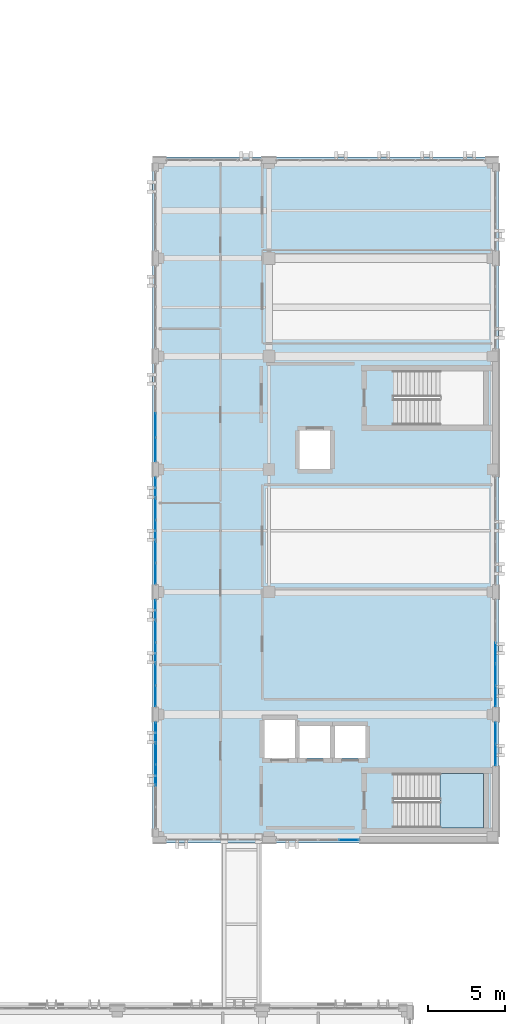
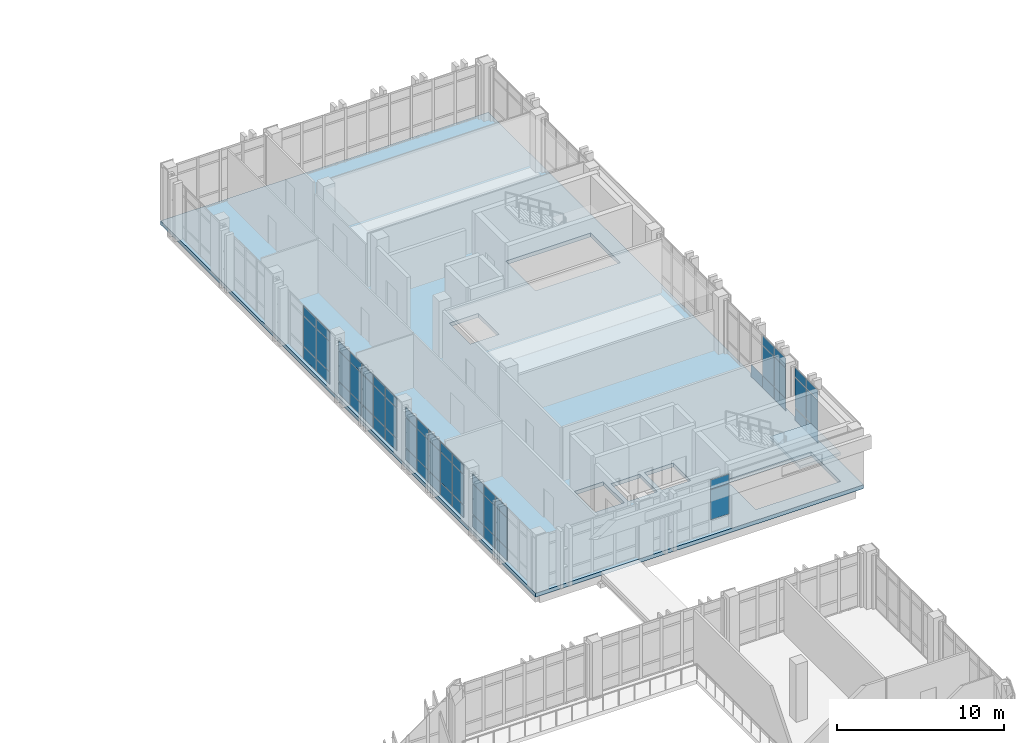
# One storey, part 119 of 158: 60 plates, 2 slabs, 8 elements without a shape of their own.
"""IFC4 building model written with IfcOpenShell, lengths in metres."""

from ifc_helpers import new_model, si_unit, direction, frame, origin, origin_2d, place, context, subcontext, project, spatial, polyline, rectangle, outline, extrude, material, layer, layer_set, type_object, element, aggregate, save


model = new_model("IFC4")

# Units and contexts
model_context = context("Model", 3, precision=1e-05, world=origin(), true_north=direction((0.0, 1.0)))
body_context = subcontext(model_context, "Body", "Model", "MODEL_VIEW")
ifc_project = project(units=[si_unit("LENGTHUNIT", "METRE"), si_unit("AREAUNIT", "SQUARE_METRE"), si_unit("VOLUMEUNIT", "CUBIC_METRE"), si_unit("PLANEANGLEUNIT", "RADIAN"), si_unit("MASSUNIT", "GRAM", prefix="KILO")], contexts=[model_context])

# Site, building, storey
site_placement = place(None, origin())
site = spatial("IfcSite", under=ifc_project, at=site_placement, CompositionType="ELEMENT")
building_placement = place(site_placement, origin())
building = spatial("IfcBuilding", under=site, at=building_placement, Name="Qalavern Law Courts", CompositionType="ELEMENT")
storey_placement = place(building_placement, frame((0.0, 0.0, 18.60009765625)))
storey = spatial("IfcBuildingStorey", under=building, at=storey_placement, Name="L04", CompositionType="ELEMENT", Elevation=18.60009765625)

# Curtain wall, plates
ifc_material_1 = material(Name="Anodised aluminium and insulated glazing", Category="aluminium")
ifc_layer_1 = layer(ifc_material_1, 0.159912109375)
ifc_layer_set_1 = layer_set([ifc_layer_1], Name="Anodised aluminium and insulated glazing")
curtain_wall_type = type_object("IfcCurtainWallType", Name="ENV-CW-CHAMB", PredefinedType="USERDEFINED", material=ifc_layer_set_1)
curtain_wall_1_placement = place(storey_placement, origin())
curtain_wall_1 = element("IfcCurtainWall", 1, at=curtain_wall_1_placement, inside=storey, type_object=curtain_wall_type, Name="V4 unitised curtain wall L04 east 1", ObjectType="UNITISED CURTAIN WALL", PredefinedType="USERDEFINED")
ifc_material_2 = material(Name="Insulated low-E acoustic glazing", Category="glass")
ifc_layer_2 = layer(ifc_material_2, 0.02392578125)
ifc_layer_set_2 = layer_set([ifc_layer_2], Name="Insulated low-E acoustic glazing")
plate_type_1 = type_object("IfcPlateType", Name="ENV-CWP-24", PredefinedType="CURTAIN_PANEL", material=ifc_layer_set_2)
plate_1_placement = place(storey_placement, frame((106.60009765625, 46.7744140625, 0.0478515625), z_axis=(0.0, 0.0, 1.0), x_axis=(0.0, 1.0, 0.0)))
plate_1 = element("IfcPlate", 2, at=plate_1_placement, type_object=plate_type_1, Name="CW-04 panel 1.1", PredefinedType="CURTAIN_PANEL", context=body_context, shape_type="SweptSolid", body=[
    extrude(rectangle(XDim=1.35302734375, YDim=0.02392578125, at=origin_2d()), origin(), (0.0, 0.0, 1.0), 0.8779296875),
])
plate_2_placement = place(storey_placement, frame((106.60009765625, 46.7744140625, 0.97412109375), z_axis=(0.0, 0.0, 1.0), x_axis=(0.0, 1.0, 0.0)))
plate_2 = element("IfcPlate", 3, at=plate_2_placement, type_object=plate_type_1, Name="CW-04 panel 1.2", PredefinedType="CURTAIN_PANEL", context=body_context, shape_type="SweptSolid", body=[
    extrude(rectangle(XDim=1.35302734375, YDim=0.02392578125, at=origin_2d()), origin(), (0.0, 0.0, 1.0), 2.177001953125),
])
plate_3_placement = place(storey_placement, frame((106.60009765625, 46.7744140625, 3.19873046875), z_axis=(0.0, 0.0, 1.0), x_axis=(0.0, 1.0, 0.0)))
plate_3 = element("IfcPlate", 4, at=plate_3_placement, type_object=plate_type_1, Name="CW-04 panel 1.3", PredefinedType="CURTAIN_PANEL", context=body_context, shape_type="SweptSolid", body=[
    extrude(rectangle(XDim=1.35302734375, YDim=0.02392578125, at=origin_2d()), origin(), (0.0, 0.0, 1.0), 0.677978515625),
])
plate_4_placement = place(storey_placement, frame((106.60009765625, 48.175537109375, 0.0478515625), z_axis=(0.0, 0.0, 1.0), x_axis=(0.0, 1.0, 0.0)))
plate_4 = element("IfcPlate", 5, at=plate_4_placement, type_object=plate_type_1, Name="CW-04 panel 2.1", PredefinedType="CURTAIN_PANEL", context=body_context, shape_type="SweptSolid", body=[
    extrude(rectangle(XDim=1.35302734375, YDim=0.02392578125, at=origin_2d()), origin(), (0.0, 0.0, 1.0), 0.8779296875),
])
plate_5_placement = place(storey_placement, frame((106.60009765625, 48.175537109375, 0.97412109375), z_axis=(0.0, 0.0, 1.0), x_axis=(0.0, 1.0, 0.0)))
plate_5 = element("IfcPlate", 6, at=plate_5_placement, type_object=plate_type_1, Name="CW-04 panel 2.2", PredefinedType="CURTAIN_PANEL", context=body_context, shape_type="SweptSolid", body=[
    extrude(rectangle(XDim=1.35302734375, YDim=0.02392578125, at=origin_2d()), origin(), (0.0, 0.0, 1.0), 2.177001953125),
])
plate_6_placement = place(storey_placement, frame((106.60009765625, 48.175537109375, 3.19873046875), z_axis=(0.0, 0.0, 1.0), x_axis=(0.0, 1.0, 0.0)))
plate_6 = element("IfcPlate", 7, at=plate_6_placement, type_object=plate_type_1, Name="CW-04 panel 2.3", PredefinedType="CURTAIN_PANEL", context=body_context, shape_type="SweptSolid", body=[
    extrude(rectangle(XDim=1.35302734375, YDim=0.02392578125, at=origin_2d()), origin(), (0.0, 0.0, 1.0), 0.677978515625),
])
aggregate(curtain_wall_1, [plate_1, plate_2, plate_3, plate_4, plate_5, plate_6])

curtain_wall_2_placement = place(storey_placement, origin())
curtain_wall_2 = element("IfcCurtainWall", 8, at=curtain_wall_2_placement, inside=storey, type_object=curtain_wall_type, Name="V4 unitised curtain wall L04 south 2", ObjectType="UNITISED CURTAIN WALL", PredefinedType="USERDEFINED")
ifc_layer_3 = layer(ifc_material_2, 0.028076171875)
ifc_layer_set_3 = layer_set([ifc_layer_3], Name="Insulated low-E acoustic glazing")
plate_type_2 = type_object("IfcPlateType", Name="ENV-CWP-28", PredefinedType="CURTAIN_PANEL", material=ifc_layer_set_3)
plate_7_placement = place(storey_placement, frame((97.012939453125, 41.219970703125, 0.97412109375), z_axis=(0.0, 0.0, 1.0), x_axis=(1.0, 0.0, 0.0)))
plate_7 = element("IfcPlate", 9, at=plate_7_placement, type_object=plate_type_2, Name="CW-04 panel 4.2", PredefinedType="CURTAIN_PANEL", context=body_context, shape_type="SweptSolid", body=[
    extrude(rectangle(XDim=1.278076171875, YDim=0.028076171875, at=origin_2d()), origin(), (0.0, 0.0, 1.0), 2.177001953125),
])
plate_8_placement = place(storey_placement, frame((97.012939453125, 41.219970703125, 3.19873046875), z_axis=(0.0, 0.0, 1.0), x_axis=(1.0, 0.0, 0.0)))
plate_8 = element("IfcPlate", 10, at=plate_8_placement, type_object=plate_type_2, Name="CW-04 panel 4.3", PredefinedType="CURTAIN_PANEL", context=body_context, shape_type="SweptSolid", body=[
    extrude(rectangle(XDim=1.278076171875, YDim=0.028076171875, at=origin_2d()), origin(), (0.0, 0.0, 1.0), 0.677978515625),
])
aggregate(curtain_wall_2, [plate_7, plate_8])

curtain_wall_3_placement = place(storey_placement, origin())
curtain_wall_3 = element("IfcCurtainWall", 11, at=curtain_wall_3_placement, inside=storey, type_object=curtain_wall_type, Name="V4 unitised curtain wall L04 east 2", ObjectType="UNITISED CURTAIN WALL", PredefinedType="USERDEFINED")
plate_9_placement = place(storey_placement, frame((106.60009765625, 50.612060546875, 0.0478515625), z_axis=(0.0, 0.0, 1.0), x_axis=(0.0, 1.0, 0.0)))
plate_9 = element("IfcPlate", 12, at=plate_9_placement, type_object=plate_type_2, Name="CW-04 panel 1.1", PredefinedType="CURTAIN_PANEL", context=body_context, shape_type="SweptSolid", body=[
    extrude(rectangle(XDim=1.327880859375, YDim=0.028076171875, at=origin_2d()), origin(), (0.0, 0.0, 1.0), 0.8779296875),
])
plate_10_placement = place(storey_placement, frame((106.60009765625, 50.612060546875, 0.97412109375), z_axis=(0.0, 0.0, 1.0), x_axis=(0.0, 1.0, 0.0)))
plate_10 = element("IfcPlate", 13, at=plate_10_placement, type_object=plate_type_2, Name="CW-04 panel 1.2", PredefinedType="CURTAIN_PANEL", context=body_context, shape_type="SweptSolid", body=[
    extrude(rectangle(XDim=1.327880859375, YDim=0.028076171875, at=origin_2d()), origin(), (0.0, 0.0, 1.0), 2.177001953125),
])
plate_11_placement = place(storey_placement, frame((106.60009765625, 50.612060546875, 3.19873046875), z_axis=(0.0, 0.0, 1.0), x_axis=(0.0, 1.0, 0.0)))
plate_11 = element("IfcPlate", 14, at=plate_11_placement, type_object=plate_type_2, Name="CW-04 panel 1.3", PredefinedType="CURTAIN_PANEL", context=body_context, shape_type="SweptSolid", body=[
    extrude(rectangle(XDim=1.327880859375, YDim=0.028076171875, at=origin_2d()), origin(), (0.0, 0.0, 1.0), 0.677978515625),
])
plate_12_placement = place(storey_placement, frame((106.60009765625, 52.0, 0.0478515625), z_axis=(0.0, 0.0, 1.0), x_axis=(0.0, 1.0, 0.0)))
plate_12 = element("IfcPlate", 15, at=plate_12_placement, type_object=plate_type_2, Name="CW-04 panel 2.1", PredefinedType="CURTAIN_PANEL", context=body_context, shape_type="SweptSolid", body=[
    extrude(rectangle(XDim=1.35205078125, YDim=0.028076171875, at=origin_2d()), origin(), (0.0, 0.0, 1.0), 0.8779296875),
])
plate_13_placement = place(storey_placement, frame((106.60009765625, 52.0, 0.97412109375), z_axis=(0.0, 0.0, 1.0), x_axis=(0.0, 1.0, 0.0)))
plate_13 = element("IfcPlate", 16, at=plate_13_placement, type_object=plate_type_2, Name="CW-04 panel 2.2", PredefinedType="CURTAIN_PANEL", context=body_context, shape_type="SweptSolid", body=[
    extrude(rectangle(XDim=1.35205078125, YDim=0.028076171875, at=origin_2d()), origin(), (0.0, 0.0, 1.0), 2.177001953125),
])
plate_14_placement = place(storey_placement, frame((106.60009765625, 52.0, 3.19873046875), z_axis=(0.0, 0.0, 1.0), x_axis=(0.0, 1.0, 0.0)))
plate_14 = element("IfcPlate", 17, at=plate_14_placement, type_object=plate_type_2, Name="CW-04 panel 2.3", PredefinedType="CURTAIN_PANEL", context=body_context, shape_type="SweptSolid", body=[
    extrude(rectangle(XDim=1.35205078125, YDim=0.028076171875, at=origin_2d()), origin(), (0.0, 0.0, 1.0), 0.677978515625),
])
plate_15_placement = place(storey_placement, frame((106.60009765625, 53.39990234375, 0.0478515625), z_axis=(0.0, 0.0, 1.0), x_axis=(0.0, 1.0, 0.0)))
plate_15 = element("IfcPlate", 18, at=plate_15_placement, type_object=plate_type_2, Name="CW-04 panel 3.1", PredefinedType="CURTAIN_PANEL", context=body_context, shape_type="SweptSolid", body=[
    extrude(rectangle(XDim=1.35205078125, YDim=0.028076171875, at=origin_2d()), origin(), (0.0, 0.0, 1.0), 0.8779296875),
])
aggregate(curtain_wall_3, [plate_9, plate_10, plate_11, plate_12, plate_13, plate_14, plate_15])

curtain_wall_4_placement = place(storey_placement, origin())
curtain_wall_4 = element("IfcCurtainWall", 19, at=curtain_wall_4_placement, inside=storey, type_object=curtain_wall_type, Name="V4 unitised curtain wall L04 west 3", ObjectType="UNITISED CURTAIN WALL", PredefinedType="USERDEFINED")
ifc_layer_4 = layer(ifc_material_2, 0.031982421875)
ifc_layer_set_4 = layer_set([ifc_layer_4], Name="Insulated low-E acoustic glazing")
plate_type_3 = type_object("IfcPlateType", Name="ENV-CWP-32", PredefinedType="CURTAIN_PANEL", material=ifc_layer_set_4)
plate_16_placement = place(storey_placement, frame((84.39990234375, 68.300048828125, 0.0478515625), z_axis=(0.0, 0.0, 1.0), x_axis=(0.0, -1.0, 0.0)))
plate_16 = element("IfcPlate", 20, at=plate_16_placement, type_object=plate_type_3, Name="CW-04 panel 3.1", PredefinedType="CURTAIN_PANEL", context=body_context, shape_type="SweptSolid", body=[
    extrude(rectangle(XDim=1.552001953125, YDim=0.031982421875, at=origin_2d()), origin(), (0.0, 0.0, 1.0), 0.8779296875),
])
plate_17_placement = place(storey_placement, frame((84.39990234375, 68.300048828125, 0.97412109375), z_axis=(0.0, 0.0, 1.0), x_axis=(0.0, -1.0, 0.0)))
plate_17 = element("IfcPlate", 21, at=plate_17_placement, type_object=plate_type_3, Name="CW-04 panel 3.2", PredefinedType="CURTAIN_PANEL", context=body_context, shape_type="SweptSolid", body=[
    extrude(rectangle(XDim=1.552001953125, YDim=0.031982421875, at=origin_2d()), origin(), (0.0, 0.0, 1.0), 2.177001953125),
])
plate_18_placement = place(storey_placement, frame((84.39990234375, 68.300048828125, 3.19873046875), z_axis=(0.0, 0.0, 1.0), x_axis=(0.0, -1.0, 0.0)))
plate_18 = element("IfcPlate", 22, at=plate_18_placement, type_object=plate_type_3, Name="CW-04 panel 3.3", PredefinedType="CURTAIN_PANEL", context=body_context, shape_type="SweptSolid", body=[
    extrude(rectangle(XDim=1.552001953125, YDim=0.031982421875, at=origin_2d()), origin(), (0.0, 0.0, 1.0), 0.677978515625),
])
plate_19_placement = place(storey_placement, frame((84.39990234375, 66.7119140625, 0.0478515625), z_axis=(0.0, 0.0, 1.0), x_axis=(0.0, -1.0, 0.0)))
plate_19 = element("IfcPlate", 23, at=plate_19_placement, type_object=plate_type_3, Name="CW-04 panel 4.1", PredefinedType="CURTAIN_PANEL", context=body_context, shape_type="SweptSolid", body=[
    extrude(rectangle(XDim=1.528076171875, YDim=0.031982421875, at=origin_2d()), origin(), (0.0, 0.0, 1.0), 0.8779296875),
])
plate_20_placement = place(storey_placement, frame((84.39990234375, 66.7119140625, 0.97412109375), z_axis=(0.0, 0.0, 1.0), x_axis=(0.0, -1.0, 0.0)))
plate_20 = element("IfcPlate", 24, at=plate_20_placement, type_object=plate_type_3, Name="CW-04 panel 4.2", PredefinedType="CURTAIN_PANEL", context=body_context, shape_type="SweptSolid", body=[
    extrude(rectangle(XDim=1.528076171875, YDim=0.031982421875, at=origin_2d()), origin(), (0.0, 0.0, 1.0), 2.177001953125),
])
plate_21_placement = place(storey_placement, frame((84.39990234375, 66.7119140625, 3.19873046875), z_axis=(0.0, 0.0, 1.0), x_axis=(0.0, -1.0, 0.0)))
plate_21 = element("IfcPlate", 25, at=plate_21_placement, type_object=plate_type_3, Name="CW-04 panel 4.3", PredefinedType="CURTAIN_PANEL", context=body_context, shape_type="SweptSolid", body=[
    extrude(rectangle(XDim=1.528076171875, YDim=0.031982421875, at=origin_2d()), origin(), (0.0, 0.0, 1.0), 0.677978515625),
])
aggregate(curtain_wall_4, [plate_16, plate_17, plate_18, plate_19, plate_20, plate_21])

curtain_wall_5_placement = place(storey_placement, origin())
curtain_wall_5 = element("IfcCurtainWall", 26, at=curtain_wall_5_placement, inside=storey, type_object=curtain_wall_type, Name="V4 unitised curtain wall L04 west 4", ObjectType="UNITISED CURTAIN WALL", PredefinedType="USERDEFINED")
ifc_layer_5 = layer(ifc_material_2, 0.035888671875)
ifc_layer_set_5 = layer_set([ifc_layer_5], Name="Insulated low-E acoustic glazing")
plate_type_4 = type_object("IfcPlateType", Name="ENV-CWP-36", PredefinedType="CURTAIN_PANEL", material=ifc_layer_set_5)
plate_22_placement = place(storey_placement, frame((84.39990234375, 64.18798828125, 0.0478515625), z_axis=(0.0, 0.0, 1.0), x_axis=(0.0, -1.0, 0.0)))
plate_22 = element("IfcPlate", 27, at=plate_22_placement, type_object=plate_type_4, Name="CW-04 panel 1.1", PredefinedType="CURTAIN_PANEL", context=body_context, shape_type="SweptSolid", body=[
    extrude(rectangle(XDim=1.327880859375, YDim=0.035888671875, at=origin_2d()), origin(), (0.0, 0.0, 1.0), 0.8779296875),
])
plate_23_placement = place(storey_placement, frame((84.39990234375, 64.18798828125, 0.97412109375), z_axis=(0.0, 0.0, 1.0), x_axis=(0.0, -1.0, 0.0)))
plate_23 = element("IfcPlate", 28, at=plate_23_placement, type_object=plate_type_4, Name="CW-04 panel 1.2", PredefinedType="CURTAIN_PANEL", context=body_context, shape_type="SweptSolid", body=[
    extrude(rectangle(XDim=1.327880859375, YDim=0.035888671875, at=origin_2d()), origin(), (0.0, 0.0, 1.0), 2.177001953125),
])
plate_24_placement = place(storey_placement, frame((84.39990234375, 64.18798828125, 3.19873046875), z_axis=(0.0, 0.0, 1.0), x_axis=(0.0, -1.0, 0.0)))
plate_24 = element("IfcPlate", 29, at=plate_24_placement, type_object=plate_type_4, Name="CW-04 panel 1.3", PredefinedType="CURTAIN_PANEL", context=body_context, shape_type="SweptSolid", body=[
    extrude(rectangle(XDim=1.327880859375, YDim=0.035888671875, at=origin_2d()), origin(), (0.0, 0.0, 1.0), 0.677978515625),
])
plate_25_placement = place(storey_placement, frame((84.39990234375, 62.800048828125, 0.0478515625), z_axis=(0.0, 0.0, 1.0), x_axis=(0.0, -1.0, 0.0)))
plate_25 = element("IfcPlate", 30, at=plate_25_placement, type_object=plate_type_4, Name="CW-04 panel 2.1", PredefinedType="CURTAIN_PANEL", context=body_context, shape_type="SweptSolid", body=[
    extrude(rectangle(XDim=1.35205078125, YDim=0.035888671875, at=origin_2d()), origin(), (0.0, 0.0, 1.0), 0.8779296875),
])
plate_26_placement = place(storey_placement, frame((84.39990234375, 62.800048828125, 0.97412109375), z_axis=(0.0, 0.0, 1.0), x_axis=(0.0, -1.0, 0.0)))
plate_26 = element("IfcPlate", 31, at=plate_26_placement, type_object=plate_type_4, Name="CW-04 panel 2.2", PredefinedType="CURTAIN_PANEL", context=body_context, shape_type="SweptSolid", body=[
    extrude(rectangle(XDim=1.35205078125, YDim=0.035888671875, at=origin_2d()), origin(), (0.0, 0.0, 1.0), 2.177001953125),
])
plate_27_placement = place(storey_placement, frame((84.39990234375, 62.800048828125, 3.19873046875), z_axis=(0.0, 0.0, 1.0), x_axis=(0.0, -1.0, 0.0)))
plate_27 = element("IfcPlate", 32, at=plate_27_placement, type_object=plate_type_4, Name="CW-04 panel 2.3", PredefinedType="CURTAIN_PANEL", context=body_context, shape_type="SweptSolid", body=[
    extrude(rectangle(XDim=1.35205078125, YDim=0.035888671875, at=origin_2d()), origin(), (0.0, 0.0, 1.0), 0.677978515625),
])
plate_28_placement = place(storey_placement, frame((84.39990234375, 61.39990234375, 0.0478515625), z_axis=(0.0, 0.0, 1.0), x_axis=(0.0, -1.0, 0.0)))
plate_28 = element("IfcPlate", 33, at=plate_28_placement, type_object=plate_type_4, Name="CW-04 panel 3.1", PredefinedType="CURTAIN_PANEL", context=body_context, shape_type="SweptSolid", body=[
    extrude(rectangle(XDim=1.35205078125, YDim=0.035888671875, at=origin_2d()), origin(), (0.0, 0.0, 1.0), 0.8779296875),
])
plate_29_placement = place(storey_placement, frame((84.39990234375, 61.39990234375, 0.97412109375), z_axis=(0.0, 0.0, 1.0), x_axis=(0.0, -1.0, 0.0)))
plate_29 = element("IfcPlate", 34, at=plate_29_placement, type_object=plate_type_4, Name="CW-04 panel 3.2", PredefinedType="CURTAIN_PANEL", context=body_context, shape_type="SweptSolid", body=[
    extrude(rectangle(XDim=1.35205078125, YDim=0.035888671875, at=origin_2d()), origin(), (0.0, 0.0, 1.0), 2.177001953125),
])
plate_30_placement = place(storey_placement, frame((84.39990234375, 61.39990234375, 3.19873046875), z_axis=(0.0, 0.0, 1.0), x_axis=(0.0, -1.0, 0.0)))
plate_30 = element("IfcPlate", 35, at=plate_30_placement, type_object=plate_type_4, Name="CW-04 panel 3.3", PredefinedType="CURTAIN_PANEL", context=body_context, shape_type="SweptSolid", body=[
    extrude(rectangle(XDim=1.35205078125, YDim=0.035888671875, at=origin_2d()), origin(), (0.0, 0.0, 1.0), 0.677978515625),
])
plate_31_placement = place(storey_placement, frame((84.39990234375, 60.0, 0.0478515625), z_axis=(0.0, 0.0, 1.0), x_axis=(0.0, -1.0, 0.0)))
plate_31 = element("IfcPlate", 36, at=plate_31_placement, type_object=plate_type_4, Name="CW-04 panel 4.1", PredefinedType="CURTAIN_PANEL", context=body_context, shape_type="SweptSolid", body=[
    extrude(rectangle(XDim=1.35205078125, YDim=0.035888671875, at=origin_2d()), origin(), (0.0, 0.0, 1.0), 0.8779296875),
])
plate_32_placement = place(storey_placement, frame((84.39990234375, 60.0, 0.97412109375), z_axis=(0.0, 0.0, 1.0), x_axis=(0.0, -1.0, 0.0)))
plate_32 = element("IfcPlate", 37, at=plate_32_placement, type_object=plate_type_4, Name="CW-04 panel 4.2", PredefinedType="CURTAIN_PANEL", context=body_context, shape_type="SweptSolid", body=[
    extrude(rectangle(XDim=1.35205078125, YDim=0.035888671875, at=origin_2d()), origin(), (0.0, 0.0, 1.0), 2.177001953125),
])
plate_33_placement = place(storey_placement, frame((84.39990234375, 60.0, 3.19873046875), z_axis=(0.0, 0.0, 1.0), x_axis=(0.0, -1.0, 0.0)))
plate_33 = element("IfcPlate", 38, at=plate_33_placement, type_object=plate_type_4, Name="CW-04 panel 4.3", PredefinedType="CURTAIN_PANEL", context=body_context, shape_type="SweptSolid", body=[
    extrude(rectangle(XDim=1.35205078125, YDim=0.035888671875, at=origin_2d()), origin(), (0.0, 0.0, 1.0), 0.677978515625),
])
plate_34_placement = place(storey_placement, frame((84.39990234375, 58.612060546875, 0.0478515625), z_axis=(0.0, 0.0, 1.0), x_axis=(0.0, -1.0, 0.0)))
plate_34 = element("IfcPlate", 39, at=plate_34_placement, type_object=plate_type_4, Name="CW-04 panel 5.1", PredefinedType="CURTAIN_PANEL", context=body_context, shape_type="SweptSolid", body=[
    extrude(rectangle(XDim=1.327880859375, YDim=0.035888671875, at=origin_2d()), origin(), (0.0, 0.0, 1.0), 0.8779296875),
])
plate_35_placement = place(storey_placement, frame((84.39990234375, 58.612060546875, 0.97412109375), z_axis=(0.0, 0.0, 1.0), x_axis=(0.0, -1.0, 0.0)))
plate_35 = element("IfcPlate", 40, at=plate_35_placement, type_object=plate_type_4, Name="CW-04 panel 5.2", PredefinedType="CURTAIN_PANEL", context=body_context, shape_type="SweptSolid", body=[
    extrude(rectangle(XDim=1.327880859375, YDim=0.035888671875, at=origin_2d()), origin(), (0.0, 0.0, 1.0), 2.177001953125),
])
plate_36_placement = place(storey_placement, frame((84.39990234375, 58.612060546875, 3.19873046875), z_axis=(0.0, 0.0, 1.0), x_axis=(0.0, -1.0, 0.0)))
plate_36 = element("IfcPlate", 41, at=plate_36_placement, type_object=plate_type_4, Name="CW-04 panel 5.3", PredefinedType="CURTAIN_PANEL", context=body_context, shape_type="SweptSolid", body=[
    extrude(rectangle(XDim=1.327880859375, YDim=0.035888671875, at=origin_2d()), origin(), (0.0, 0.0, 1.0), 0.677978515625),
])
aggregate(curtain_wall_5, [plate_22, plate_23, plate_24, plate_25, plate_26, plate_27, plate_28, plate_29, plate_30, plate_31, plate_32, plate_33, plate_34, plate_35, plate_36])

curtain_wall_6_placement = place(storey_placement, origin())
curtain_wall_6 = element("IfcCurtainWall", 42, at=curtain_wall_6_placement, inside=storey, type_object=curtain_wall_type, Name="V4 unitised curtain wall L04 west 5", ObjectType="UNITISED CURTAIN WALL", PredefinedType="USERDEFINED")
ifc_layer_6 = layer(ifc_material_2, 0.0400390625)
ifc_layer_set_6 = layer_set([ifc_layer_6], Name="Insulated low-E acoustic glazing")
plate_type_5 = type_object("IfcPlateType", Name="ENV-CWP-40", PredefinedType="CURTAIN_PANEL", material=ifc_layer_set_6)
plate_37_placement = place(storey_placement, frame((84.39990234375, 56.18798828125, 0.0478515625), z_axis=(0.0, 0.0, 1.0), x_axis=(0.0, -1.0, 0.0)))
plate_37 = element("IfcPlate", 43, at=plate_37_placement, type_object=plate_type_5, Name="CW-04 panel 1.1", PredefinedType="CURTAIN_PANEL", context=body_context, shape_type="SweptSolid", body=[
    extrude(rectangle(XDim=1.327880859375, YDim=0.0400390625, at=origin_2d()), origin(), (0.0, 0.0, 1.0), 0.8779296875),
])
plate_38_placement = place(storey_placement, frame((84.39990234375, 56.18798828125, 0.97412109375), z_axis=(0.0, 0.0, 1.0), x_axis=(0.0, -1.0, 0.0)))
plate_38 = element("IfcPlate", 44, at=plate_38_placement, type_object=plate_type_5, Name="CW-04 panel 1.2", PredefinedType="CURTAIN_PANEL", context=body_context, shape_type="SweptSolid", body=[
    extrude(rectangle(XDim=1.327880859375, YDim=0.0400390625, at=origin_2d()), origin(), (0.0, 0.0, 1.0), 2.177001953125),
])
plate_39_placement = place(storey_placement, frame((84.39990234375, 56.18798828125, 3.19873046875), z_axis=(0.0, 0.0, 1.0), x_axis=(0.0, -1.0, 0.0)))
plate_39 = element("IfcPlate", 45, at=plate_39_placement, type_object=plate_type_5, Name="CW-04 panel 1.3", PredefinedType="CURTAIN_PANEL", context=body_context, shape_type="SweptSolid", body=[
    extrude(rectangle(XDim=1.327880859375, YDim=0.0400390625, at=origin_2d()), origin(), (0.0, 0.0, 1.0), 0.677978515625),
])
plate_40_placement = place(storey_placement, frame((84.39990234375, 54.800048828125, 0.0478515625), z_axis=(0.0, 0.0, 1.0), x_axis=(0.0, -1.0, 0.0)))
plate_40 = element("IfcPlate", 46, at=plate_40_placement, type_object=plate_type_5, Name="CW-04 panel 2.1", PredefinedType="CURTAIN_PANEL", context=body_context, shape_type="SweptSolid", body=[
    extrude(rectangle(XDim=1.35205078125, YDim=0.0400390625, at=origin_2d()), origin(), (0.0, 0.0, 1.0), 0.8779296875),
])
plate_41_placement = place(storey_placement, frame((84.39990234375, 54.800048828125, 0.97412109375), z_axis=(0.0, 0.0, 1.0), x_axis=(0.0, -1.0, 0.0)))
plate_41 = element("IfcPlate", 47, at=plate_41_placement, type_object=plate_type_5, Name="CW-04 panel 2.2", PredefinedType="CURTAIN_PANEL", context=body_context, shape_type="SweptSolid", body=[
    extrude(rectangle(XDim=1.35205078125, YDim=0.0400390625, at=origin_2d()), origin(), (0.0, 0.0, 1.0), 2.177001953125),
])
plate_42_placement = place(storey_placement, frame((84.39990234375, 54.800048828125, 3.19873046875), z_axis=(0.0, 0.0, 1.0), x_axis=(0.0, -1.0, 0.0)))
plate_42 = element("IfcPlate", 48, at=plate_42_placement, type_object=plate_type_5, Name="CW-04 panel 2.3", PredefinedType="CURTAIN_PANEL", context=body_context, shape_type="SweptSolid", body=[
    extrude(rectangle(XDim=1.35205078125, YDim=0.0400390625, at=origin_2d()), origin(), (0.0, 0.0, 1.0), 0.677978515625),
])
plate_43_placement = place(storey_placement, frame((84.39990234375, 53.39990234375, 0.0478515625), z_axis=(0.0, 0.0, 1.0), x_axis=(0.0, -1.0, 0.0)))
plate_43 = element("IfcPlate", 49, at=plate_43_placement, type_object=plate_type_5, Name="CW-04 panel 3.1", PredefinedType="CURTAIN_PANEL", context=body_context, shape_type="SweptSolid", body=[
    extrude(rectangle(XDim=1.35205078125, YDim=0.0400390625, at=origin_2d()), origin(), (0.0, 0.0, 1.0), 0.8779296875),
])
plate_44_placement = place(storey_placement, frame((84.39990234375, 53.39990234375, 0.97412109375), z_axis=(0.0, 0.0, 1.0), x_axis=(0.0, -1.0, 0.0)))
plate_44 = element("IfcPlate", 50, at=plate_44_placement, type_object=plate_type_5, Name="CW-04 panel 3.2", PredefinedType="CURTAIN_PANEL", context=body_context, shape_type="SweptSolid", body=[
    extrude(rectangle(XDim=1.35205078125, YDim=0.0400390625, at=origin_2d()), origin(), (0.0, 0.0, 1.0), 2.177001953125),
])
plate_45_placement = place(storey_placement, frame((84.39990234375, 53.39990234375, 3.19873046875), z_axis=(0.0, 0.0, 1.0), x_axis=(0.0, -1.0, 0.0)))
plate_45 = element("IfcPlate", 51, at=plate_45_placement, type_object=plate_type_5, Name="CW-04 panel 3.3", PredefinedType="CURTAIN_PANEL", context=body_context, shape_type="SweptSolid", body=[
    extrude(rectangle(XDim=1.35205078125, YDim=0.0400390625, at=origin_2d()), origin(), (0.0, 0.0, 1.0), 0.677978515625),
])
plate_46_placement = place(storey_placement, frame((84.39990234375, 52.0, 0.0478515625), z_axis=(0.0, 0.0, 1.0), x_axis=(0.0, -1.0, 0.0)))
plate_46 = element("IfcPlate", 52, at=plate_46_placement, type_object=plate_type_5, Name="CW-04 panel 4.1", PredefinedType="CURTAIN_PANEL", context=body_context, shape_type="SweptSolid", body=[
    extrude(rectangle(XDim=1.35205078125, YDim=0.0400390625, at=origin_2d()), origin(), (0.0, 0.0, 1.0), 0.8779296875),
])
plate_47_placement = place(storey_placement, frame((84.39990234375, 52.0, 0.97412109375), z_axis=(0.0, 0.0, 1.0), x_axis=(0.0, -1.0, 0.0)))
plate_47 = element("IfcPlate", 53, at=plate_47_placement, type_object=plate_type_5, Name="CW-04 panel 4.2", PredefinedType="CURTAIN_PANEL", context=body_context, shape_type="SweptSolid", body=[
    extrude(rectangle(XDim=1.35205078125, YDim=0.0400390625, at=origin_2d()), origin(), (0.0, 0.0, 1.0), 2.177001953125),
])
plate_48_placement = place(storey_placement, frame((84.39990234375, 52.0, 3.19873046875), z_axis=(0.0, 0.0, 1.0), x_axis=(0.0, -1.0, 0.0)))
plate_48 = element("IfcPlate", 54, at=plate_48_placement, type_object=plate_type_5, Name="CW-04 panel 4.3", PredefinedType="CURTAIN_PANEL", context=body_context, shape_type="SweptSolid", body=[
    extrude(rectangle(XDim=1.35205078125, YDim=0.0400390625, at=origin_2d()), origin(), (0.0, 0.0, 1.0), 0.677978515625),
])
plate_49_placement = place(storey_placement, frame((84.39990234375, 50.612060546875, 0.0478515625), z_axis=(0.0, 0.0, 1.0), x_axis=(0.0, -1.0, 0.0)))
plate_49 = element("IfcPlate", 55, at=plate_49_placement, type_object=plate_type_5, Name="CW-04 panel 5.1", PredefinedType="CURTAIN_PANEL", context=body_context, shape_type="SweptSolid", body=[
    extrude(rectangle(XDim=1.327880859375, YDim=0.0400390625, at=origin_2d()), origin(), (0.0, 0.0, 1.0), 0.8779296875),
])
plate_50_placement = place(storey_placement, frame((84.39990234375, 50.612060546875, 0.97412109375), z_axis=(0.0, 0.0, 1.0), x_axis=(0.0, -1.0, 0.0)))
plate_50 = element("IfcPlate", 56, at=plate_50_placement, type_object=plate_type_5, Name="CW-04 panel 5.2", PredefinedType="CURTAIN_PANEL", context=body_context, shape_type="SweptSolid", body=[
    extrude(rectangle(XDim=1.327880859375, YDim=0.0400390625, at=origin_2d()), origin(), (0.0, 0.0, 1.0), 2.177001953125),
])
plate_51_placement = place(storey_placement, frame((84.39990234375, 50.612060546875, 3.19873046875), z_axis=(0.0, 0.0, 1.0), x_axis=(0.0, -1.0, 0.0)))
plate_51 = element("IfcPlate", 57, at=plate_51_placement, type_object=plate_type_5, Name="CW-04 panel 5.3", PredefinedType="CURTAIN_PANEL", context=body_context, shape_type="SweptSolid", body=[
    extrude(rectangle(XDim=1.327880859375, YDim=0.0400390625, at=origin_2d()), origin(), (0.0, 0.0, 1.0), 0.677978515625),
])
aggregate(curtain_wall_6, [plate_37, plate_38, plate_39, plate_40, plate_41, plate_42, plate_43, plate_44, plate_45, plate_46, plate_47, plate_48, plate_49, plate_50, plate_51])

curtain_wall_7_placement = place(storey_placement, origin())
curtain_wall_7 = element("IfcCurtainWall", 58, at=curtain_wall_7_placement, inside=storey, type_object=curtain_wall_type, Name="V4 unitised curtain wall L04 west 6", ObjectType="UNITISED CURTAIN WALL", PredefinedType="USERDEFINED")
ifc_layer_7 = layer(ifc_material_2, 0.0439453125)
ifc_layer_set_7 = layer_set([ifc_layer_7], Name="Insulated low-E acoustic glazing")
plate_type_6 = type_object("IfcPlateType", Name="ENV-CWP-44", PredefinedType="CURTAIN_PANEL", material=ifc_layer_set_7)
plate_52_placement = place(storey_placement, frame((84.39990234375, 48.194580078125, 0.0478515625), z_axis=(0.0, 0.0, 1.0), x_axis=(0.0, -1.0, 0.0)))
plate_52 = element("IfcPlate", 59, at=plate_52_placement, type_object=plate_type_6, Name="CW-04 panel 1.1", PredefinedType="CURTAIN_PANEL", context=body_context, shape_type="SweptSolid", body=[
    extrude(rectangle(XDim=1.31494140625, YDim=0.0439453125, at=origin_2d()), origin(), (0.0, 0.0, 1.0), 0.8779296875),
])
plate_53_placement = place(storey_placement, frame((84.39990234375, 48.194580078125, 0.97412109375), z_axis=(0.0, 0.0, 1.0), x_axis=(0.0, -1.0, 0.0)))
plate_53 = element("IfcPlate", 60, at=plate_53_placement, type_object=plate_type_6, Name="CW-04 panel 1.2", PredefinedType="CURTAIN_PANEL", context=body_context, shape_type="SweptSolid", body=[
    extrude(rectangle(XDim=1.31494140625, YDim=0.0439453125, at=origin_2d()), origin(), (0.0, 0.0, 1.0), 2.177001953125),
])
plate_54_placement = place(storey_placement, frame((84.39990234375, 48.194580078125, 3.19873046875), z_axis=(0.0, 0.0, 1.0), x_axis=(0.0, -1.0, 0.0)))
plate_54 = element("IfcPlate", 61, at=plate_54_placement, type_object=plate_type_6, Name="CW-04 panel 1.3", PredefinedType="CURTAIN_PANEL", context=body_context, shape_type="SweptSolid", body=[
    extrude(rectangle(XDim=1.31494140625, YDim=0.0439453125, at=origin_2d()), origin(), (0.0, 0.0, 1.0), 0.677978515625),
])
plate_55_placement = place(storey_placement, frame((84.39990234375, 46.819580078125, 0.0478515625), z_axis=(0.0, 0.0, 1.0), x_axis=(0.0, -1.0, 0.0)))
plate_55 = element("IfcPlate", 62, at=plate_55_placement, type_object=plate_type_6, Name="CW-04 panel 2.1", PredefinedType="CURTAIN_PANEL", context=body_context, shape_type="SweptSolid", body=[
    extrude(rectangle(XDim=1.339111328125, YDim=0.0439453125, at=origin_2d()), origin(), (0.0, 0.0, 1.0), 0.8779296875),
])
plate_56_placement = place(storey_placement, frame((84.39990234375, 46.819580078125, 0.97412109375), z_axis=(0.0, 0.0, 1.0), x_axis=(0.0, -1.0, 0.0)))
plate_56 = element("IfcPlate", 63, at=plate_56_placement, type_object=plate_type_6, Name="CW-04 panel 2.2", PredefinedType="CURTAIN_PANEL", context=body_context, shape_type="SweptSolid", body=[
    extrude(rectangle(XDim=1.339111328125, YDim=0.0439453125, at=origin_2d()), origin(), (0.0, 0.0, 1.0), 2.177001953125),
])
plate_57_placement = place(storey_placement, frame((84.39990234375, 46.819580078125, 3.19873046875), z_axis=(0.0, 0.0, 1.0), x_axis=(0.0, -1.0, 0.0)))
plate_57 = element("IfcPlate", 64, at=plate_57_placement, type_object=plate_type_6, Name="CW-04 panel 2.3", PredefinedType="CURTAIN_PANEL", context=body_context, shape_type="SweptSolid", body=[
    extrude(rectangle(XDim=1.339111328125, YDim=0.0439453125, at=origin_2d()), origin(), (0.0, 0.0, 1.0), 0.677978515625),
])
plate_58_placement = place(storey_placement, frame((84.39990234375, 45.4326171875, 0.0478515625), z_axis=(0.0, 0.0, 1.0), x_axis=(0.0, -1.0, 0.0)))
plate_58 = element("IfcPlate", 65, at=plate_58_placement, type_object=plate_type_6, Name="CW-04 panel 3.1", PredefinedType="CURTAIN_PANEL", context=body_context, shape_type="SweptSolid", body=[
    extrude(rectangle(XDim=1.339111328125, YDim=0.0439453125, at=origin_2d()), origin(), (0.0, 0.0, 1.0), 0.8779296875),
])
plate_59_placement = place(storey_placement, frame((84.39990234375, 45.4326171875, 0.97412109375), z_axis=(0.0, 0.0, 1.0), x_axis=(0.0, -1.0, 0.0)))
plate_59 = element("IfcPlate", 66, at=plate_59_placement, type_object=plate_type_6, Name="CW-04 panel 3.2", PredefinedType="CURTAIN_PANEL", context=body_context, shape_type="SweptSolid", body=[
    extrude(rectangle(XDim=1.339111328125, YDim=0.0439453125, at=origin_2d()), origin(), (0.0, 0.0, 1.0), 2.177001953125),
])
plate_60_placement = place(storey_placement, frame((84.39990234375, 45.4326171875, 3.19873046875), z_axis=(0.0, 0.0, 1.0), x_axis=(0.0, -1.0, 0.0)))
plate_60 = element("IfcPlate", 67, at=plate_60_placement, type_object=plate_type_6, Name="CW-04 panel 3.3", PredefinedType="CURTAIN_PANEL", context=body_context, shape_type="SweptSolid", body=[
    extrude(rectangle(XDim=1.339111328125, YDim=0.0439453125, at=origin_2d()), origin(), (0.0, 0.0, 1.0), 0.677978515625),
])
aggregate(curtain_wall_7, [plate_52, plate_53, plate_54, plate_55, plate_56, plate_57, plate_58, plate_59, plate_60])

# Stair, slab
ifc_material_3 = material(Name="Concrete C35/45", Category="concrete")
stair_type = type_object("IfcStairType", Name="INT-STAIR-1700", PredefinedType="HALF_TURN_STAIR", material=ifc_material_3)
stair_placement = place(storey_placement, origin())
stair = element("IfcStair", 68, at=stair_placement, inside=storey, type_object=stair_type, Name="L04 ST-K1A", PredefinedType="HALF_TURN_STAIR")
ifc_layer_8 = layer(ifc_material_3, 0.199951171875)
ifc_layer_set_8 = layer_set([ifc_layer_8], Name="Concrete C35/45")
slab_type_1 = type_object("IfcSlabType", Name="INT-LANDING-200", PredefinedType="LANDING", material=ifc_layer_set_8)
slab_1_placement = place(storey_placement, frame((0.0, 0.0, 1.89990234375)))
slab_1 = element("IfcSlab", 69, at=slab_1_placement, type_object=slab_type_1, Name="ST-K1A landing 1", PredefinedType="LANDING", context=body_context, shape_type="SweptSolid", body=[
    extrude(outline(polyline([(102.97998046875, 42.0), (105.800048828125, 42.0), (105.800048828125, 45.550048828125), (102.97998046875, 45.550048828125), (102.97998046875, 42.0)])), origin(), (0.0, 0.0, 1.0), 0.199951171875),
])
aggregate(stair, [slab_1])

# Slab
ifc_layer_9 = layer(ifc_material_3, 0.280029296875)
ifc_layer_set_9 = layer_set([ifc_layer_9], Name="Concrete C35/45")
slab_type_2 = type_object("IfcSlabType", Name="STR-SLB-L04-280", PredefinedType="FLOOR", material=ifc_layer_set_9)
slab_2_placement = place(storey_placement, frame((0.0, 0.0, -0.280029296875)))
element("IfcSlab", 70, at=slab_2_placement, inside=storey, type_object=slab_type_2, Name="V4 floor slab L04", PredefinedType="FLOOR", context=body_context, shape_type="SweptSolid", body=[
    extrude(outline(polyline([(84.199951171875, 41.02001953125), (106.800048828125, 41.02001953125), (106.800048828125, 85.800048828125), (84.199951171875, 85.800048828125), (84.199951171875, 41.02001953125)]), holes=[polyline([(99.93994140625, 42.0), (105.800048828125, 42.0), (105.800048828125, 45.550048828125), (99.93994140625, 45.550048828125), (99.93994140625, 42.0)]), polyline([(91.5, 46.550048828125), (93.5, 46.550048828125), (93.5, 49.050048828125), (91.5, 49.050048828125), (91.5, 46.550048828125)]), polyline([(93.800048828125, 46.550048828125), (95.800048828125, 46.550048828125), (95.800048828125, 48.64990234375), (93.800048828125, 48.64990234375), (93.800048828125, 46.550048828125)]), polyline([(96.10009765625, 46.550048828125), (98.10009765625, 46.550048828125), (98.10009765625, 48.64990234375), (96.10009765625, 48.64990234375), (96.10009765625, 46.550048828125)]), polyline([(99.93994140625, 68.300048828125), (105.800048828125, 68.300048828125), (105.800048828125, 71.85009765625), (99.93994140625, 71.85009765625), (99.93994140625, 68.300048828125)]), polyline([(93.800048828125, 65.449951171875), (95.800048828125, 65.449951171875), (95.800048828125, 67.949951171875), (93.800048828125, 67.949951171875), (93.800048828125, 65.449951171875)])]), origin(), (0.0, 0.0, 1.0), 0.280029296875),
])

save(model, "model.ifc")
